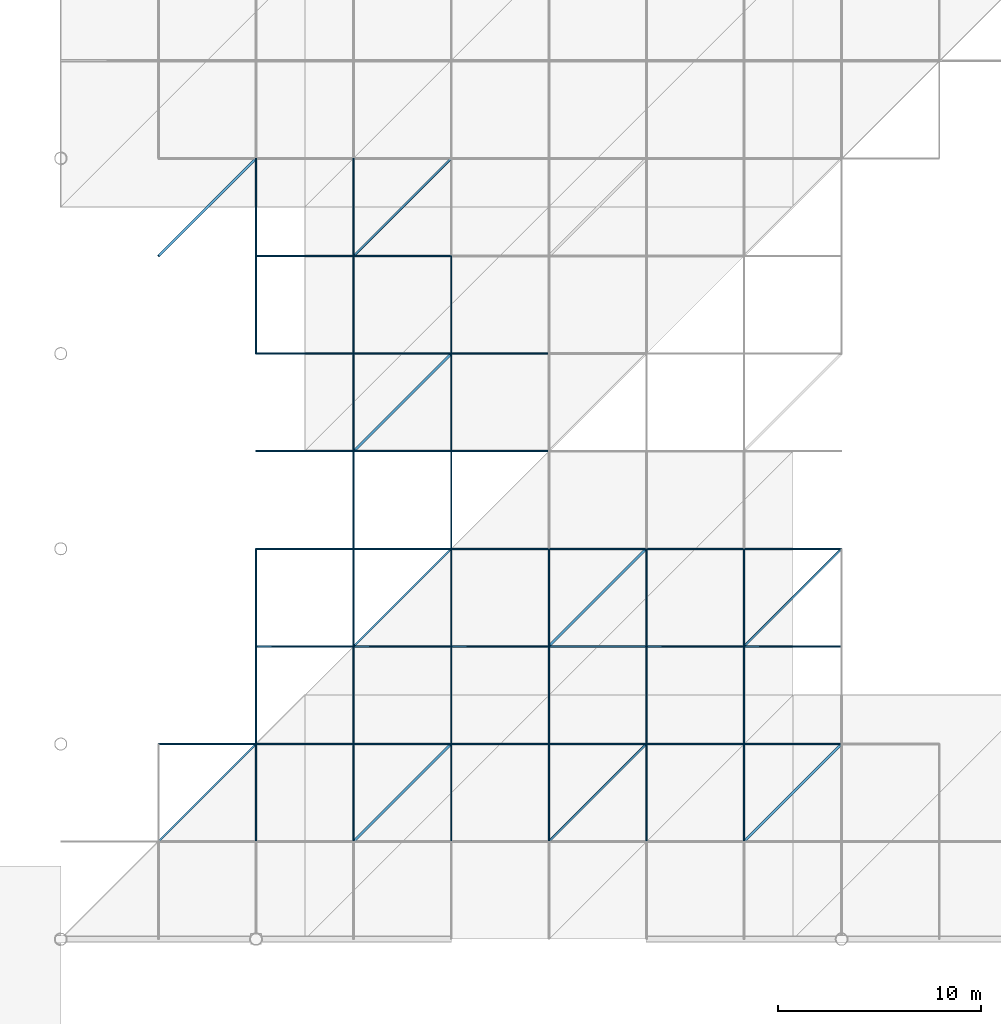
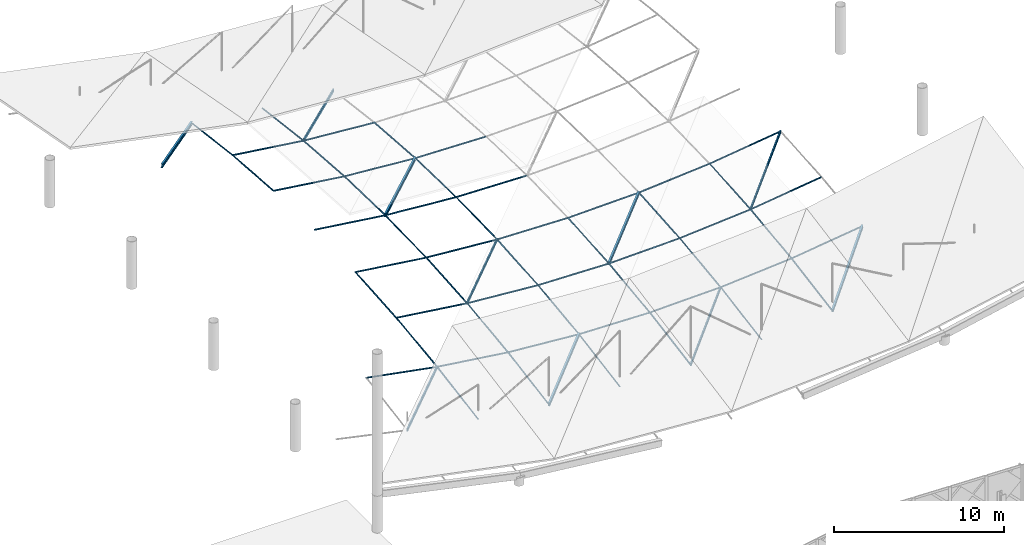
# One storey, part 21 of 40: 64 members.
"""IFC4 building model written with IfcOpenShell, lengths in metres."""

from ifc_helpers import new_model, si_unit, direction, frame, origin, origin_2d, place, context, subcontext, project, spatial, hollow_rectangle, circle, i_section, extrude, material, material_profile, profile_set, type_object, element, save


model = new_model("IFC4")

# Units and contexts
model_context = context("Model", 3, precision=1e-05, world=origin(), true_north=direction((0.0, 1.0)))
body_context = subcontext(model_context, "Body", "Model", "MODEL_VIEW")
ifc_project = project(units=[si_unit("LENGTHUNIT", "METRE"), si_unit("AREAUNIT", "SQUARE_METRE"), si_unit("VOLUMEUNIT", "CUBIC_METRE"), si_unit("PLANEANGLEUNIT", "RADIAN"), si_unit("MASSUNIT", "GRAM", prefix="KILO")], contexts=[model_context])

# Site, building, storey
site_placement = place(None, origin())
site = spatial("IfcSite", under=ifc_project, at=site_placement, CompositionType="ELEMENT")
building_placement = place(site_placement, origin())
building = spatial("IfcBuilding", under=site, at=building_placement, Name="Zevrakil Square Congress Hotel", CompositionType="ELEMENT")
storey_placement = place(building_placement, frame((0.0, 0.0, 18.10009765625)))
storey = spatial("IfcBuildingStorey", under=building, at=storey_placement, Name="L05", CompositionType="ELEMENT", Elevation=18.10009765625)

# Members
ifc_material_1 = material(Name="Steel S355", Category="steel")
ifc_material_profile_1 = material_profile(ifc_material_1, circle(Radius=0.033935546875, at=origin_2d()), Name="CABLE RD68")
ifc_profile_set_1 = profile_set([ifc_material_profile_1], Name="Steel S355")
member_type_1 = type_object("IfcMemberType", Name="MEM-CABLE-RD68", PredefinedType="USERDEFINED", material=ifc_profile_set_1)
member_1_placement = place(storey_placement, frame((127.199951171875, 69.60009765625, 1.69189453125), z_axis=(0.0, 0.985026213109, 0.172404638825), x_axis=(-1.0, 0.0, 0.0)))
element("IfcMember", 1, at=member_1_placement, inside=storey, type_object=member_type_1, Name="Congress saddle stabilizing cable CBH-02 seg 2", ObjectType="ROOF CABLE", PredefinedType="USERDEFINED", context=body_context, shape_type="SweptSolid", body=[
    extrude(circle(Radius=0.033935546875, at=origin_2d()), origin(), (0.0, 0.0, 1.0), 4.872802734375),
])
member_2_placement = place(storey_placement, frame((127.199951171875, 74.39990234375, 2.531982421875), z_axis=(0.0, 0.9922817585, 0.124003676346), x_axis=(-1.0, 0.0, 0.0)))
element("IfcMember", 2, at=member_2_placement, inside=storey, type_object=member_type_1, Name="Congress saddle stabilizing cable CBH-02 seg 3", ObjectType="ROOF CABLE", PredefinedType="USERDEFINED", context=body_context, shape_type="SweptSolid", body=[
    extrude(circle(Radius=0.033935546875, at=origin_2d()), origin(), (0.0, 0.0, 1.0), 4.83740234375),
])
member_3_placement = place(storey_placement, frame((127.199951171875, 79.199951171875, 3.1318359375), z_axis=(0.0, 0.997197702014, 0.074811383473), x_axis=(-1.0, 0.0, 0.0)))
element("IfcMember", 3, at=member_3_placement, inside=storey, type_object=member_type_1, Name="Congress saddle stabilizing cable CBH-02 seg 4", ObjectType="ROOF CABLE", PredefinedType="USERDEFINED", context=body_context, shape_type="SweptSolid", body=[
    extrude(circle(Radius=0.033935546875, at=origin_2d()), origin(), (0.0, 0.0, 1.0), 4.8134765625),
])
member_4_placement = place(storey_placement, frame((127.199951171875, 93.60009765625, 3.491943359375), z_axis=(0.0, 0.997197418128, -0.074815167433), x_axis=(-1.0, 0.0, 0.0)))
element("IfcMember", 4, at=member_4_placement, inside=storey, type_object=member_type_1, Name="Congress saddle stabilizing cable CBH-02 seg 7", ObjectType="ROOF CABLE", PredefinedType="USERDEFINED", context=body_context, shape_type="SweptSolid", body=[
    extrude(circle(Radius=0.033935546875, at=origin_2d()), origin(), (0.0, 0.0, 1.0), 4.813232421875),
])
member_5_placement = place(storey_placement, frame((127.199951171875, 98.39990234375, 3.1318359375), z_axis=(0.0, 0.9922817585, -0.124003676346), x_axis=(-1.0, 0.0, 0.0)))
element("IfcMember", 5, at=member_5_placement, inside=storey, type_object=member_type_1, Name="Congress saddle stabilizing cable CBH-02 seg 8", ObjectType="ROOF CABLE", PredefinedType="USERDEFINED", context=body_context, shape_type="SweptSolid", body=[
    extrude(circle(Radius=0.033935546875, at=origin_2d()), origin(), (0.0, 0.0, 1.0), 4.83740234375),
])
member_6_placement = place(storey_placement, frame((132.0, 69.60009765625, 1.052001953125), z_axis=(0.0, 0.98503472064, 0.172356024364), x_axis=(-1.0, 0.0, 0.0)))
element("IfcMember", 6, at=member_6_placement, inside=storey, type_object=member_type_1, Name="Congress saddle stabilizing cable CBH-03 seg 2", ObjectType="ROOF CABLE", PredefinedType="USERDEFINED", context=body_context, shape_type="SweptSolid", body=[
    extrude(circle(Radius=0.033935546875, at=origin_2d()), origin(), (0.0, 0.0, 1.0), 4.872802734375),
])
member_7_placement = place(storey_placement, frame((132.0, 74.39990234375, 1.891845703125), z_axis=(0.0, 0.99227554719, 0.12405336936), x_axis=(-1.0, 0.0, 0.0)))
element("IfcMember", 7, at=member_7_placement, inside=storey, type_object=member_type_1, Name="Congress saddle stabilizing cable CBH-03 seg 3", ObjectType="ROOF CABLE", PredefinedType="USERDEFINED", context=body_context, shape_type="SweptSolid", body=[
    extrude(circle(Radius=0.033935546875, at=origin_2d()), origin(), (0.0, 0.0, 1.0), 4.83740234375),
])
member_8_placement = place(storey_placement, frame((132.0, 79.199951171875, 2.491943359375), z_axis=(0.0, 0.997201484522, 0.074760947469), x_axis=(-1.0, 0.0, 0.0)))
element("IfcMember", 8, at=member_8_placement, inside=storey, type_object=member_type_1, Name="Congress saddle stabilizing cable CBH-03 seg 4", ObjectType="ROOF CABLE", PredefinedType="USERDEFINED", context=body_context, shape_type="SweptSolid", body=[
    extrude(circle(Radius=0.033935546875, at=origin_2d()), origin(), (0.0, 0.0, 1.0), 4.8134765625),
])
for number, where, z_axis, x_axis, name in (
    (9, (132.0, 84.0, 2.851806640625), (0.0, 0.999687042695, 0.02501632801), (-1.0, 0.0, 0.0), "Congress saddle stabilizing cable CBH-03 seg 5"),
    (10, (132.0, 88.800048828125, 2.971923828125), (0.0, 0.999687042695, -0.02501632801), (-1.0, 0.0, 0.0), "Congress saddle stabilizing cable CBH-03 seg 6"),
):
    element("IfcMember", number, at=place(storey_placement, frame(where, z_axis=z_axis, x_axis=x_axis)), inside=storey, type_object=member_type_1, Name=name, ObjectType="ROOF CABLE", PredefinedType="USERDEFINED", context=body_context, shape_type="SweptSolid", body=[
        extrude(circle(Radius=0.033935546875, at=origin_2d()), origin(), (0.0, 0.0, 1.0), 4.801513671875),
    ])
member_9_placement = place(storey_placement, frame((132.0, 93.60009765625, 2.851806640625), z_axis=(0.0, 0.997201201018, -0.074764728906), x_axis=(-1.0, 0.0, 0.0)))
element("IfcMember", 11, at=member_9_placement, inside=storey, type_object=member_type_1, Name="Congress saddle stabilizing cable CBH-03 seg 7", ObjectType="ROOF CABLE", PredefinedType="USERDEFINED", context=body_context, shape_type="SweptSolid", body=[
    extrude(circle(Radius=0.033935546875, at=origin_2d()), origin(), (0.0, 0.0, 1.0), 4.813232421875),
])
member_10_placement = place(storey_placement, frame((132.0, 98.39990234375, 2.491943359375), z_axis=(0.0, 0.99227554719, -0.12405336936), x_axis=(-1.0, 0.0, 0.0)))
element("IfcMember", 12, at=member_10_placement, inside=storey, type_object=member_type_1, Name="Congress saddle stabilizing cable CBH-03 seg 8", ObjectType="ROOF CABLE", PredefinedType="USERDEFINED", context=body_context, shape_type="SweptSolid", body=[
    extrude(circle(Radius=0.033935546875, at=origin_2d()), origin(), (0.0, 0.0, 1.0), 4.83740234375),
])
member_11_placement = place(storey_placement, frame((136.800048828125, 69.60009765625, 0.66796875), z_axis=(0.0, 0.98503472064, 0.172356024364), x_axis=(-1.0, 0.0, 0.0)))
element("IfcMember", 13, at=member_11_placement, inside=storey, type_object=member_type_1, Name="Congress saddle stabilizing cable CBH-04 seg 2", ObjectType="ROOF CABLE", PredefinedType="USERDEFINED", context=body_context, shape_type="SweptSolid", body=[
    extrude(circle(Radius=0.033935546875, at=origin_2d()), origin(), (0.0, 0.0, 1.0), 4.872802734375),
])
member_12_placement = place(storey_placement, frame((136.800048828125, 74.39990234375, 1.5078125), z_axis=(0.0, 0.99227554719, 0.12405336936), x_axis=(-1.0, 0.0, 0.0)))
element("IfcMember", 14, at=member_12_placement, inside=storey, type_object=member_type_1, Name="Congress saddle stabilizing cable CBH-04 seg 3", ObjectType="ROOF CABLE", PredefinedType="USERDEFINED", context=body_context, shape_type="SweptSolid", body=[
    extrude(circle(Radius=0.033935546875, at=origin_2d()), origin(), (0.0, 0.0, 1.0), 4.83740234375),
])
member_13_placement = place(storey_placement, frame((136.800048828125, 79.199951171875, 2.10791015625), z_axis=(0.0, 0.997197702014, 0.074811383473), x_axis=(-1.0, 0.0, 0.0)))
element("IfcMember", 15, at=member_13_placement, inside=storey, type_object=member_type_1, Name="Congress saddle stabilizing cable CBH-04 seg 4", ObjectType="ROOF CABLE", PredefinedType="USERDEFINED", context=body_context, shape_type="SweptSolid", body=[
    extrude(circle(Radius=0.033935546875, at=origin_2d()), origin(), (0.0, 0.0, 1.0), 4.8134765625),
])
for number, where, z_axis, x_axis, name in (
    (16, (136.800048828125, 84.0, 2.468017578125), (0.0, 0.999688312992, 0.024965513538), (-1.0, 0.0, 0.0), "Congress saddle stabilizing cable CBH-04 seg 5"),
    (17, (136.800048828125, 88.800048828125, 2.587890625), (0.0, 0.999688312992, -0.024965513538), (-1.0, 0.0, 0.0), "Congress saddle stabilizing cable CBH-04 seg 6"),
):
    element("IfcMember", number, at=place(storey_placement, frame(where, z_axis=z_axis, x_axis=x_axis)), inside=storey, type_object=member_type_1, Name=name, ObjectType="ROOF CABLE", PredefinedType="USERDEFINED", context=body_context, shape_type="SweptSolid", body=[
        extrude(circle(Radius=0.033935546875, at=origin_2d()), origin(), (0.0, 0.0, 1.0), 4.801513671875),
    ])
member_14_placement = place(storey_placement, frame((136.800048828125, 93.60009765625, 2.468017578125), z_axis=(0.0, 0.997197418128, -0.074815167433), x_axis=(-1.0, 0.0, 0.0)))
element("IfcMember", 18, at=member_14_placement, inside=storey, type_object=member_type_1, Name="Congress saddle stabilizing cable CBH-04 seg 7", ObjectType="ROOF CABLE", PredefinedType="USERDEFINED", context=body_context, shape_type="SweptSolid", body=[
    extrude(circle(Radius=0.033935546875, at=origin_2d()), origin(), (0.0, 0.0, 1.0), 4.813232421875),
])
member_15_placement = place(storey_placement, frame((141.60009765625, 69.60009765625, 0.539794921875), z_axis=(0.0, 0.985026213109, 0.172404638825), x_axis=(-1.0, 0.0, 0.0)))
element("IfcMember", 19, at=member_15_placement, inside=storey, type_object=member_type_1, Name="Congress saddle stabilizing cable CBH-05 seg 2", ObjectType="ROOF CABLE", PredefinedType="USERDEFINED", context=body_context, shape_type="SweptSolid", body=[
    extrude(circle(Radius=0.033935546875, at=origin_2d()), origin(), (0.0, 0.0, 1.0), 4.872802734375),
])
member_16_placement = place(storey_placement, frame((141.60009765625, 74.39990234375, 1.3798828125), z_axis=(0.0, 0.99227554719, 0.12405336936), x_axis=(-1.0, 0.0, 0.0)))
element("IfcMember", 20, at=member_16_placement, inside=storey, type_object=member_type_1, Name="Congress saddle stabilizing cable CBH-05 seg 3", ObjectType="ROOF CABLE", PredefinedType="USERDEFINED", context=body_context, shape_type="SweptSolid", body=[
    extrude(circle(Radius=0.033935546875, at=origin_2d()), origin(), (0.0, 0.0, 1.0), 4.83740234375),
])
member_17_placement = place(storey_placement, frame((141.60009765625, 79.199951171875, 1.97998046875), z_axis=(0.0, 0.997201484522, 0.074760947469), x_axis=(-1.0, 0.0, 0.0)))
element("IfcMember", 21, at=member_17_placement, inside=storey, type_object=member_type_1, Name="Congress saddle stabilizing cable CBH-05 seg 4", ObjectType="ROOF CABLE", PredefinedType="USERDEFINED", context=body_context, shape_type="SweptSolid", body=[
    extrude(circle(Radius=0.033935546875, at=origin_2d()), origin(), (0.0, 0.0, 1.0), 4.8134765625),
])
member_18_placement = place(storey_placement, frame((146.39990234375, 69.60009765625, 0.66796875), z_axis=(0.0, 0.98503472064, 0.172356024364), x_axis=(-1.0, 0.0, 0.0)))
element("IfcMember", 22, at=member_18_placement, inside=storey, type_object=member_type_1, Name="Congress saddle stabilizing cable CBH-06 seg 2", ObjectType="ROOF CABLE", PredefinedType="USERDEFINED", context=body_context, shape_type="SweptSolid", body=[
    extrude(circle(Radius=0.033935546875, at=origin_2d()), origin(), (0.0, 0.0, 1.0), 4.872802734375),
])
member_19_placement = place(storey_placement, frame((146.39990234375, 74.39990234375, 1.5078125), z_axis=(0.0, 0.99227554719, 0.12405336936), x_axis=(-1.0, 0.0, 0.0)))
element("IfcMember", 23, at=member_19_placement, inside=storey, type_object=member_type_1, Name="Congress saddle stabilizing cable CBH-06 seg 3", ObjectType="ROOF CABLE", PredefinedType="USERDEFINED", context=body_context, shape_type="SweptSolid", body=[
    extrude(circle(Radius=0.033935546875, at=origin_2d()), origin(), (0.0, 0.0, 1.0), 4.83740234375),
])
member_20_placement = place(storey_placement, frame((146.39990234375, 79.199951171875, 2.10791015625), z_axis=(0.0, 0.997197702014, 0.074811383473), x_axis=(-1.0, 0.0, 0.0)))
element("IfcMember", 24, at=member_20_placement, inside=storey, type_object=member_type_1, Name="Congress saddle stabilizing cable CBH-06 seg 4", ObjectType="ROOF CABLE", PredefinedType="USERDEFINED", context=body_context, shape_type="SweptSolid", body=[
    extrude(circle(Radius=0.033935546875, at=origin_2d()), origin(), (0.0, 0.0, 1.0), 4.8134765625),
])
member_21_placement = place(storey_placement, frame((151.199951171875, 69.60009765625, 1.052001953125), z_axis=(0.0, 0.98503472064, 0.172356024364), x_axis=(-1.0, 0.0, 0.0)))
element("IfcMember", 25, at=member_21_placement, inside=storey, type_object=member_type_1, Name="Congress saddle stabilizing cable CBH-07 seg 2", ObjectType="ROOF CABLE", PredefinedType="USERDEFINED", context=body_context, shape_type="SweptSolid", body=[
    extrude(circle(Radius=0.033935546875, at=origin_2d()), origin(), (0.0, 0.0, 1.0), 4.872802734375),
])
member_22_placement = place(storey_placement, frame((151.199951171875, 74.39990234375, 1.891845703125), z_axis=(0.0, 0.99227554719, 0.12405336936), x_axis=(-1.0, 0.0, 0.0)))
element("IfcMember", 26, at=member_22_placement, inside=storey, type_object=member_type_1, Name="Congress saddle stabilizing cable CBH-07 seg 3", ObjectType="ROOF CABLE", PredefinedType="USERDEFINED", context=body_context, shape_type="SweptSolid", body=[
    extrude(circle(Radius=0.033935546875, at=origin_2d()), origin(), (0.0, 0.0, 1.0), 4.83740234375),
])
member_23_placement = place(storey_placement, frame((151.199951171875, 79.199951171875, 2.491943359375), z_axis=(0.0, 0.997201484522, 0.074760947469), x_axis=(-1.0, 0.0, 0.0)))
element("IfcMember", 27, at=member_23_placement, inside=storey, type_object=member_type_1, Name="Congress saddle stabilizing cable CBH-07 seg 4", ObjectType="ROOF CABLE", PredefinedType="USERDEFINED", context=body_context, shape_type="SweptSolid", body=[
    extrude(circle(Radius=0.033935546875, at=origin_2d()), origin(), (0.0, 0.0, 1.0), 4.8134765625),
])
ifc_material_2 = material(Name="Steel S355", Category="steel")
ifc_material_profile_2 = material_profile(ifc_material_2, circle(Radius=0.0380859375, at=origin_2d()), Name="CABLE RD76")
ifc_profile_set_2 = profile_set([ifc_material_profile_2], Name="Steel S355")
member_type_2 = type_object("IfcMemberType", Name="MEM-CABLE-RD76", PredefinedType="USERDEFINED", material=ifc_profile_set_2)
member_24_placement = place(storey_placement, frame((122.39990234375, 74.39990234375, 3.41796875), z_axis=(0.983020729765, 0.0, -0.183494536302), x_axis=(0.0, 1.0, 0.0)))
element("IfcMember", 28, at=member_24_placement, inside=storey, type_object=member_type_2, Name="Congress saddle carrying cable CBS-02 seg 2", ObjectType="ROOF CABLE", PredefinedType="USERDEFINED", context=body_context, shape_type="SweptSolid", body=[
    extrude(circle(Radius=0.0380859375, at=origin_2d()), origin(), (0.0, 0.0, 1.0), 4.883056640625),
])
member_25_placement = place(storey_placement, frame((127.199951171875, 74.39990234375, 2.52197265625), z_axis=(0.991224377832, 0.0, -0.132190138786), x_axis=(0.0, 1.0, 0.0)))
element("IfcMember", 29, at=member_25_placement, inside=storey, type_object=member_type_2, Name="Congress saddle carrying cable CBS-02 seg 3", ObjectType="ROOF CABLE", PredefinedType="USERDEFINED", context=body_context, shape_type="SweptSolid", body=[
    extrude(circle(Radius=0.0380859375, at=origin_2d()), origin(), (0.0, 0.0, 1.0), 4.842529296875),
])
member_26_placement = place(storey_placement, frame((132.0, 74.39990234375, 1.8818359375), z_axis=(0.996814794892, 0.0, -0.079751267604), x_axis=(0.0, 1.0, 0.0)))
element("IfcMember", 30, at=member_26_placement, inside=storey, type_object=member_type_2, Name="Congress saddle carrying cable CBS-02 seg 4", ObjectType="ROOF CABLE", PredefinedType="USERDEFINED", context=body_context, shape_type="SweptSolid", body=[
    extrude(circle(Radius=0.0380859375, at=origin_2d()), origin(), (0.0, 0.0, 1.0), 4.8154296875),
])
member_27_placement = place(storey_placement, frame((136.800048828125, 74.39990234375, 1.497802734375), z_axis=(0.999645031282, 0.0, -0.026642286577), x_axis=(0.0, 1.0, 0.0)))
element("IfcMember", 31, at=member_27_placement, inside=storey, type_object=member_type_2, Name="Congress saddle carrying cable CBS-02 seg 5", ObjectType="ROOF CABLE", PredefinedType="USERDEFINED", context=body_context, shape_type="SweptSolid", body=[
    extrude(circle(Radius=0.0380859375, at=origin_2d()), origin(), (0.0, 0.0, 1.0), 4.8017578125),
])
member_28_placement = place(storey_placement, frame((141.60009765625, 74.39990234375, 1.369873046875), z_axis=(0.999644995189, 0.0, 0.026643640767), x_axis=(0.0, 1.0, 0.0)))
element("IfcMember", 32, at=member_28_placement, inside=storey, type_object=member_type_2, Name="Congress saddle carrying cable CBS-02 seg 6", ObjectType="ROOF CABLE", PredefinedType="USERDEFINED", context=body_context, shape_type="SweptSolid", body=[
    extrude(circle(Radius=0.0380859375, at=origin_2d()), origin(), (0.0, 0.0, 1.0), 4.801513671875),
])
member_29_placement = place(storey_placement, frame((146.39990234375, 74.39990234375, 1.497802734375), z_axis=(0.996814794892, 0.0, 0.079751267604), x_axis=(0.0, 1.0, 0.0)))
element("IfcMember", 33, at=member_29_placement, inside=storey, type_object=member_type_2, Name="Congress saddle carrying cable CBS-02 seg 7", ObjectType="ROOF CABLE", PredefinedType="USERDEFINED", context=body_context, shape_type="SweptSolid", body=[
    extrude(circle(Radius=0.0380859375, at=origin_2d()), origin(), (0.0, 0.0, 1.0), 4.8154296875),
])
for number, where, z_axis, x_axis, name in (
    (34, (151.199951171875, 74.39990234375, 1.8818359375), (0.991224377832, 0.0, 0.132190138786), (0.0, 1.0, 0.0), "Congress saddle carrying cable CBS-02 seg 8"),
    (35, (127.199951171875, 79.199951171875, 3.121826171875), (0.99123098262, 0.0, -0.132140603502), (0.0, 1.0, 0.0), "Congress saddle carrying cable CBS-03 seg 3"),
):
    element("IfcMember", number, at=place(storey_placement, frame(where, z_axis=z_axis, x_axis=x_axis)), inside=storey, type_object=member_type_2, Name=name, ObjectType="ROOF CABLE", PredefinedType="USERDEFINED", context=body_context, shape_type="SweptSolid", body=[
        extrude(circle(Radius=0.0380859375, at=origin_2d()), origin(), (0.0, 0.0, 1.0), 4.842529296875),
    ])
member_30_placement = place(storey_placement, frame((132.0, 79.199951171875, 2.48193359375), z_axis=(0.996814794892, 0.0, -0.079751267604), x_axis=(0.0, 1.0, 0.0)))
element("IfcMember", 36, at=member_30_placement, inside=storey, type_object=member_type_2, Name="Congress saddle carrying cable CBS-03 seg 4", ObjectType="ROOF CABLE", PredefinedType="USERDEFINED", context=body_context, shape_type="SweptSolid", body=[
    extrude(circle(Radius=0.0380859375, at=origin_2d()), origin(), (0.0, 0.0, 1.0), 4.8154296875),
])
member_31_placement = place(storey_placement, frame((136.800048828125, 79.199951171875, 2.097900390625), z_axis=(0.999645031282, 0.0, -0.026642286577), x_axis=(0.0, 1.0, 0.0)))
element("IfcMember", 37, at=member_31_placement, inside=storey, type_object=member_type_2, Name="Congress saddle carrying cable CBS-03 seg 5", ObjectType="ROOF CABLE", PredefinedType="USERDEFINED", context=body_context, shape_type="SweptSolid", body=[
    extrude(circle(Radius=0.0380859375, at=origin_2d()), origin(), (0.0, 0.0, 1.0), 4.8017578125),
])
member_32_placement = place(storey_placement, frame((141.60009765625, 79.199951171875, 1.969970703125), z_axis=(0.999644995189, 0.0, 0.026643640767), x_axis=(0.0, 1.0, 0.0)))
element("IfcMember", 38, at=member_32_placement, inside=storey, type_object=member_type_2, Name="Congress saddle carrying cable CBS-03 seg 6", ObjectType="ROOF CABLE", PredefinedType="USERDEFINED", context=body_context, shape_type="SweptSolid", body=[
    extrude(circle(Radius=0.0380859375, at=origin_2d()), origin(), (0.0, 0.0, 1.0), 4.801513671875),
])
member_33_placement = place(storey_placement, frame((146.39990234375, 79.199951171875, 2.097900390625), z_axis=(0.996814794892, 0.0, 0.079751267604), x_axis=(0.0, 1.0, 0.0)))
element("IfcMember", 39, at=member_33_placement, inside=storey, type_object=member_type_2, Name="Congress saddle carrying cable CBS-03 seg 7", ObjectType="ROOF CABLE", PredefinedType="USERDEFINED", context=body_context, shape_type="SweptSolid", body=[
    extrude(circle(Radius=0.0380859375, at=origin_2d()), origin(), (0.0, 0.0, 1.0), 4.8154296875),
])
for number, where, z_axis, x_axis, name in (
    (40, (151.199951171875, 79.199951171875, 2.48193359375), (0.99123098262, 0.0, 0.132140603502), (0.0, 1.0, 0.0), "Congress saddle carrying cable CBS-03 seg 8"),
    (41, (127.199951171875, 84.0, 3.48193359375), (0.991224377832, 0.0, -0.132190138786), (0.0, 1.0, 0.0), "Congress saddle carrying cable CBS-04 seg 3"),
):
    element("IfcMember", number, at=place(storey_placement, frame(where, z_axis=z_axis, x_axis=x_axis)), inside=storey, type_object=member_type_2, Name=name, ObjectType="ROOF CABLE", PredefinedType="USERDEFINED", context=body_context, shape_type="SweptSolid", body=[
        extrude(circle(Radius=0.0380859375, at=origin_2d()), origin(), (0.0, 0.0, 1.0), 4.842529296875),
    ])
member_34_placement = place(storey_placement, frame((132.0, 84.0, 2.841796875), z_axis=(0.996818824154, 0.0, -0.079700889658), x_axis=(0.0, 1.0, 0.0)))
element("IfcMember", 42, at=member_34_placement, inside=storey, type_object=member_type_2, Name="Congress saddle carrying cable CBS-04 seg 4", ObjectType="ROOF CABLE", PredefinedType="USERDEFINED", context=body_context, shape_type="SweptSolid", body=[
    extrude(circle(Radius=0.0380859375, at=origin_2d()), origin(), (0.0, 0.0, 1.0), 4.8154296875),
])
member_35_placement = place(storey_placement, frame((136.800048828125, 84.0, 2.4580078125), z_axis=(0.999643675871, 0.0, -0.026693094442), x_axis=(0.0, 1.0, 0.0)))
element("IfcMember", 43, at=member_35_placement, inside=storey, type_object=member_type_2, Name="Congress saddle carrying cable CBS-04 seg 5", ObjectType="ROOF CABLE", PredefinedType="USERDEFINED", context=body_context, shape_type="SweptSolid", body=[
    extrude(circle(Radius=0.0380859375, at=origin_2d()), origin(), (0.0, 0.0, 1.0), 4.8017578125),
])
member_36_placement = place(storey_placement, frame((141.60009765625, 84.0, 2.329833984375), z_axis=(0.999643639641, 0.0, 0.026694451211), x_axis=(0.0, 1.0, 0.0)))
element("IfcMember", 44, at=member_36_placement, inside=storey, type_object=member_type_2, Name="Congress saddle carrying cable CBS-04 seg 6", ObjectType="ROOF CABLE", PredefinedType="USERDEFINED", context=body_context, shape_type="SweptSolid", body=[
    extrude(circle(Radius=0.0380859375, at=origin_2d()), origin(), (0.0, 0.0, 1.0), 4.801513671875),
])
member_37_placement = place(storey_placement, frame((146.39990234375, 84.0, 2.4580078125), z_axis=(0.996818824154, 0.0, 0.079700889658), x_axis=(0.0, 1.0, 0.0)))
element("IfcMember", 45, at=member_37_placement, inside=storey, type_object=member_type_2, Name="Congress saddle carrying cable CBS-04 seg 7", ObjectType="ROOF CABLE", PredefinedType="USERDEFINED", context=body_context, shape_type="SweptSolid", body=[
    extrude(circle(Radius=0.0380859375, at=origin_2d()), origin(), (0.0, 0.0, 1.0), 4.8154296875),
])
for number, where, z_axis, x_axis, name in (
    (46, (151.199951171875, 84.0, 2.841796875), (0.991224377832, 0.0, 0.132190138786), (0.0, 1.0, 0.0), "Congress saddle carrying cable CBS-04 seg 8"),
    (47, (127.199951171875, 88.800048828125, 3.601806640625), (0.99123098262, 0.0, -0.132140603502), (0.0, 1.0, 0.0), "Congress saddle carrying cable CBS-05 seg 3"),
):
    element("IfcMember", number, at=place(storey_placement, frame(where, z_axis=z_axis, x_axis=x_axis)), inside=storey, type_object=member_type_2, Name=name, ObjectType="ROOF CABLE", PredefinedType="USERDEFINED", context=body_context, shape_type="SweptSolid", body=[
        extrude(circle(Radius=0.0380859375, at=origin_2d()), origin(), (0.0, 0.0, 1.0), 4.842529296875),
    ])
member_38_placement = place(storey_placement, frame((132.0, 88.800048828125, 2.9619140625), z_axis=(0.996814794892, 0.0, -0.079751267604), x_axis=(0.0, 1.0, 0.0)))
element("IfcMember", 48, at=member_38_placement, inside=storey, type_object=member_type_2, Name="Congress saddle carrying cable CBS-05 seg 4", ObjectType="ROOF CABLE", PredefinedType="USERDEFINED", context=body_context, shape_type="SweptSolid", body=[
    extrude(circle(Radius=0.0380859375, at=origin_2d()), origin(), (0.0, 0.0, 1.0), 4.8154296875),
])
member_39_placement = place(storey_placement, frame((136.800048828125, 88.800048828125, 2.577880859375), z_axis=(0.999645031282, 0.0, -0.026642286577), x_axis=(0.0, 1.0, 0.0)))
element("IfcMember", 49, at=member_39_placement, inside=storey, type_object=member_type_2, Name="Congress saddle carrying cable CBS-05 seg 5", ObjectType="ROOF CABLE", PredefinedType="USERDEFINED", context=body_context, shape_type="SweptSolid", body=[
    extrude(circle(Radius=0.0380859375, at=origin_2d()), origin(), (0.0, 0.0, 1.0), 4.8017578125),
])
member_40_placement = place(storey_placement, frame((127.199951171875, 93.60009765625, 3.48193359375), z_axis=(0.991224377832, 0.0, -0.132190138786), x_axis=(0.0, 1.0, 0.0)))
element("IfcMember", 50, at=member_40_placement, inside=storey, type_object=member_type_2, Name="Congress saddle carrying cable CBS-06 seg 3", ObjectType="ROOF CABLE", PredefinedType="USERDEFINED", context=body_context, shape_type="SweptSolid", body=[
    extrude(circle(Radius=0.0380859375, at=origin_2d()), origin(), (0.0, 0.0, 1.0), 4.842529296875),
])
member_41_placement = place(storey_placement, frame((132.0, 93.60009765625, 2.841796875), z_axis=(0.996818824154, 0.0, -0.079700889658), x_axis=(0.0, 1.0, 0.0)))
element("IfcMember", 51, at=member_41_placement, inside=storey, type_object=member_type_2, Name="Congress saddle carrying cable CBS-06 seg 4", ObjectType="ROOF CABLE", PredefinedType="USERDEFINED", context=body_context, shape_type="SweptSolid", body=[
    extrude(circle(Radius=0.0380859375, at=origin_2d()), origin(), (0.0, 0.0, 1.0), 4.8154296875),
])
member_42_placement = place(storey_placement, frame((136.800048828125, 93.60009765625, 2.4580078125), z_axis=(0.999643675871, 0.0, -0.026693094442), x_axis=(0.0, 1.0, 0.0)))
element("IfcMember", 52, at=member_42_placement, inside=storey, type_object=member_type_2, Name="Congress saddle carrying cable CBS-06 seg 5", ObjectType="ROOF CABLE", PredefinedType="USERDEFINED", context=body_context, shape_type="SweptSolid", body=[
    extrude(circle(Radius=0.0380859375, at=origin_2d()), origin(), (0.0, 0.0, 1.0), 4.8017578125),
])
member_43_placement = place(storey_placement, frame((127.199951171875, 98.39990234375, 3.121826171875), z_axis=(0.99123098262, 0.0, -0.132140603502), x_axis=(0.0, 1.0, 0.0)))
element("IfcMember", 53, at=member_43_placement, inside=storey, type_object=member_type_2, Name="Congress saddle carrying cable CBS-07 seg 3", ObjectType="ROOF CABLE", PredefinedType="USERDEFINED", context=body_context, shape_type="SweptSolid", body=[
    extrude(circle(Radius=0.0380859375, at=origin_2d()), origin(), (0.0, 0.0, 1.0), 4.842529296875),
])
member_44_placement = place(storey_placement, frame((132.0, 98.39990234375, 2.48193359375), z_axis=(0.996814794892, 0.0, -0.079751267604), x_axis=(0.0, 1.0, 0.0)))
element("IfcMember", 54, at=member_44_placement, inside=storey, type_object=member_type_2, Name="Congress saddle carrying cable CBS-07 seg 4", ObjectType="ROOF CABLE", PredefinedType="USERDEFINED", context=body_context, shape_type="SweptSolid", body=[
    extrude(circle(Radius=0.0380859375, at=origin_2d()), origin(), (0.0, 0.0, 1.0), 4.8154296875),
])
ifc_material_3 = material(Name="Steel S355", Category="steel")
ifc_material_profile_3 = material_profile(ifc_material_3, i_section(OverallWidth=0.1201171875, OverallDepth=0.239990234375, WebThickness=0.006103515625, FlangeThickness=0.009765625, FilletRadius=0.014892578125, at=origin_2d()), Name="IPE 240")
ifc_profile_set_3 = profile_set([ifc_material_profile_3], Name="Steel S355")
member_type_3 = type_object("IfcMemberType", Name="MEM-PURLIN-IPE240", PredefinedType="PURLIN", material=ifc_profile_set_3)
member_45_placement = place(storey_placement, frame((122.39990234375, 98.39990234375, 4.02783203125), z_axis=(0.690540122424, 0.690540122424, -0.215194513509), x_axis=(-0.707106781187, 0.707106781187, 0.0)))
element("IfcMember", 55, at=member_45_placement, inside=storey, type_object=member_type_3, Name="Congress roof secondary purlin CPA-01-07", PredefinedType="PURLIN", context=body_context, shape_type="SweptSolid", body=[
    extrude(i_section(OverallWidth=0.1201171875, OverallDepth=0.239990234375, WebThickness=0.006103515625, FlangeThickness=0.009765625, FilletRadius=0.014892578125, at=origin_2d()), origin(), (0.0, 0.0, 1.0), 6.951171875),
])
member_46_placement = place(storey_placement, frame((132.0, 69.60009765625, 1.052001953125), z_axis=(0.705535961217, 0.705500076167, 0.066997387701), x_axis=(-0.707088798028, 0.707124763888, 0.0)))
element("IfcMember", 56, at=member_46_placement, inside=storey, type_object=member_type_3, Name="Congress roof secondary purlin CPA-03-01", PredefinedType="PURLIN", context=body_context, shape_type="SweptSolid", body=[
    extrude(i_section(OverallWidth=0.1201171875, OverallDepth=0.239990234375, WebThickness=0.006103515625, FlangeThickness=0.009765625, FilletRadius=0.014892578125, at=origin_2d()), origin(), (0.0, 0.0, 1.0), 6.803466796875),
])
member_47_placement = place(storey_placement, frame((132.0, 88.800048828125, 2.971923828125), z_axis=(0.705166597379, 0.705166597379, -0.074027966888), x_axis=(-0.707106781187, 0.707106781187, 0.0)))
element("IfcMember", 57, at=member_47_placement, inside=storey, type_object=member_type_3, Name="Congress roof secondary purlin CPA-03-05", PredefinedType="PURLIN", context=body_context, shape_type="SweptSolid", body=[
    extrude(i_section(OverallWidth=0.1201171875, OverallDepth=0.239990234375, WebThickness=0.006103515625, FlangeThickness=0.009765625, FilletRadius=0.014892578125, at=origin_2d()), origin(), (0.0, 0.0, 1.0), 6.806884765625),
])
member_48_placement = place(storey_placement, frame((141.60009765625, 79.199951171875, 1.97998046875), z_axis=(0.705268381535, 0.7053042548, 0.071710655885), x_axis=(-0.707124763888, 0.707088798028, 0.0)))
element("IfcMember", 58, at=member_48_placement, inside=storey, type_object=member_type_3, Name="Congress roof secondary purlin CPA-05-03", PredefinedType="PURLIN", context=body_context, shape_type="SweptSolid", body=[
    extrude(i_section(OverallWidth=0.1201171875, OverallDepth=0.239990234375, WebThickness=0.006103515625, FlangeThickness=0.009765625, FilletRadius=0.014892578125, at=origin_2d()), origin(), (0.0, 0.0, 1.0), 6.8056640625),
])
member_49_placement = place(storey_placement, frame((151.199951171875, 69.60009765625, 1.052001953125), z_axis=(0.690894590774, 0.690859450415, 0.213020853938), x_axis=(-0.707088798028, 0.707124763888, 0.0)))
element("IfcMember", 59, at=member_49_placement, inside=storey, type_object=member_type_3, Name="Congress roof secondary purlin CPA-07-01", PredefinedType="PURLIN", context=body_context, shape_type="SweptSolid", body=[
    extrude(i_section(OverallWidth=0.1201171875, OverallDepth=0.239990234375, WebThickness=0.006103515625, FlangeThickness=0.009765625, FilletRadius=0.014892578125, at=origin_2d()), origin(), (0.0, 0.0, 1.0), 6.947509765625),
])
ifc_material_4 = material(Name="Steel S355", Category="steel")
ifc_material_profile_4 = material_profile(ifc_material_4, hollow_rectangle(XDim=0.10009765625, YDim=0.199951171875, WallThickness=0.010009765625, InnerFilletRadius=0.010009765625, OuterFilletRadius=0.02001953125, at=origin_2d()), Name="RHS 200x100x10")
ifc_profile_set_4 = profile_set([ifc_material_profile_4], Name="Steel S355")
member_type_4 = type_object("IfcMemberType", Name="MEM-PURLIN-RHS200", PredefinedType="PURLIN", material=ifc_profile_set_4)
for number, where, z_axis, x_axis, name in (
    (60, (122.39990234375, 69.60009765625, 2.587890625), (0.707100781313, 0.707064816673, -0.008235902493), (-0.707088798028, 0.707124763888, 0.0), "Congress roof secondary purlin CPB-01-01"),
    (61, (132.0, 79.199951171875, 2.491943359375), (0.707102389191, 0.707102389191, -0.003524542706), (-0.707106781187, 0.707106781187, 0.0), "Congress roof secondary purlin CPB-03-03"),
):
    element("IfcMember", number, at=place(storey_placement, frame(where, z_axis=z_axis, x_axis=x_axis)), inside=storey, type_object=member_type_4, Name=name, PredefinedType="PURLIN", context=body_context, shape_type="SweptSolid", body=[
        extrude(hollow_rectangle(XDim=0.10009765625, YDim=0.199951171875, WallThickness=0.010009765625, InnerFilletRadius=0.010009765625, OuterFilletRadius=0.02001953125, at=origin_2d()), origin(), (0.0, 0.0, 1.0), 6.788330078125),
    ])
member_50_placement = place(storey_placement, frame((132.0, 98.39990234375, 2.491943359375), z_axis=(0.699791035696, 0.699791035696, -0.143474780779), x_axis=(-0.707106781187, 0.707106781187, 0.0)))
element("IfcMember", 62, at=member_50_placement, inside=storey, type_object=member_type_4, Name="Congress roof secondary purlin CPB-03-07", PredefinedType="PURLIN", context=body_context, shape_type="SweptSolid", body=[
    extrude(hollow_rectangle(XDim=0.10009765625, YDim=0.199951171875, WallThickness=0.010009765625, InnerFilletRadius=0.010009765625, OuterFilletRadius=0.02001953125, at=origin_2d()), origin(), (0.0, 0.0, 1.0), 6.859375),
])
member_51_placement = place(storey_placement, frame((141.60009765625, 69.60009765625, 0.539794921875), z_axis=(0.700024370567, 0.700024370567, 0.141179889588), x_axis=(-0.707106781187, 0.707106781187, 0.0)))
element("IfcMember", 63, at=member_51_placement, inside=storey, type_object=member_type_4, Name="Congress roof secondary purlin CPB-05-01", PredefinedType="PURLIN", context=body_context, shape_type="SweptSolid", body=[
    extrude(hollow_rectangle(XDim=0.10009765625, YDim=0.199951171875, WallThickness=0.010009765625, InnerFilletRadius=0.010009765625, OuterFilletRadius=0.02001953125, at=origin_2d()), origin(), (0.0, 0.0, 1.0), 6.856689453125),
])
member_52_placement = place(storey_placement, frame((151.199951171875, 79.199951171875, 2.491943359375), z_axis=(0.699556995945, 0.699556995945, 0.145739558282), x_axis=(-0.707106781187, 0.707106781187, 0.0)))
element("IfcMember", 64, at=member_52_placement, inside=storey, type_object=member_type_4, Name="Congress roof secondary purlin CPB-07-03", PredefinedType="PURLIN", context=body_context, shape_type="SweptSolid", body=[
    extrude(hollow_rectangle(XDim=0.10009765625, YDim=0.199951171875, WallThickness=0.010009765625, InnerFilletRadius=0.010009765625, OuterFilletRadius=0.02001953125, at=origin_2d()), origin(), (0.0, 0.0, 1.0), 6.861572265625),
])

save(model, "model.ifc")
